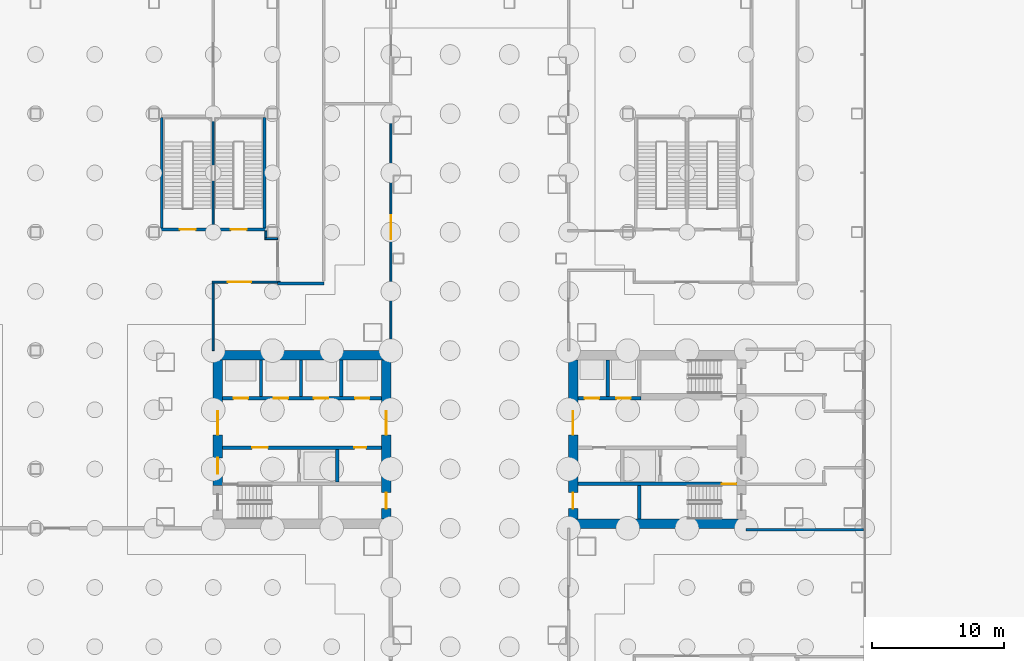
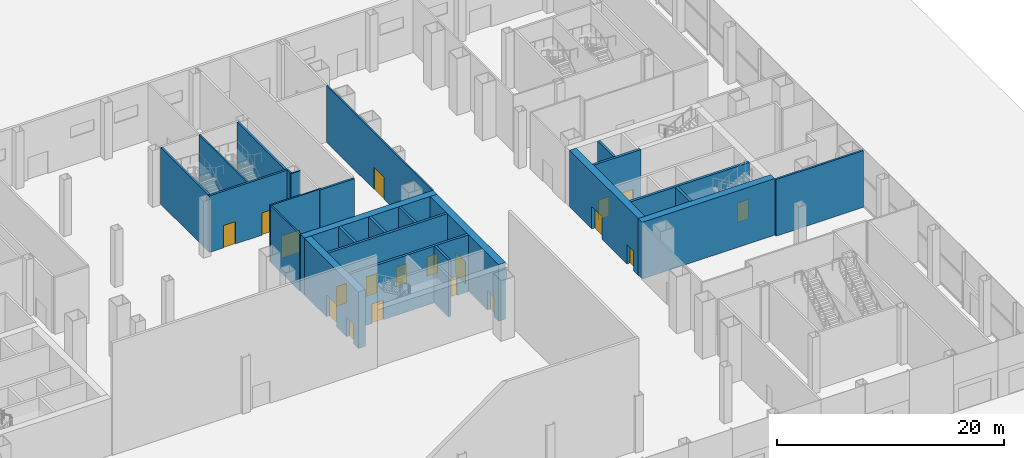
# One storey, part 22 of 37: 26 walls, 19 doors, 19 openings.
"""IFC4 building model written with IfcOpenShell, lengths in metres."""

from ifc_helpers import new_model, si_unit, direction, frame, frame_2d, origin, place, context, subcontext, project, spatial, rectangle, extrude, material, layer, layer_set, type_object, element, fill, save


model = new_model("IFC4")

# Units and contexts
model_context = context("Model", 3, precision=1e-05, world=origin(), true_north=direction((0.0, 1.0)))
body_context = subcontext(model_context, "Body", "Model", "MODEL_VIEW")
ifc_project = project(units=[si_unit("LENGTHUNIT", "METRE"), si_unit("AREAUNIT", "SQUARE_METRE"), si_unit("VOLUMEUNIT", "CUBIC_METRE"), si_unit("PLANEANGLEUNIT", "RADIAN"), si_unit("MASSUNIT", "GRAM", prefix="KILO")], contexts=[model_context])

# Site, building, storey
site_placement = place(None, origin())
site = spatial("IfcSite", under=ifc_project, at=site_placement, CompositionType="ELEMENT")
building_placement = place(site_placement, origin())
building = spatial("IfcBuilding", under=site, at=building_placement, Name="Shamsa Quay Exchange Towers", CompositionType="ELEMENT")
storey_placement = place(building_placement, origin())
storey = spatial("IfcBuildingStorey", under=building, at=storey_placement, Name="L00", CompositionType="ELEMENT", Elevation=0.0)

# Wall
ifc_material_1 = material(Name="Concrete C80/95", Category="concrete")
ifc_layer_1 = layer(ifc_material_1, 0.699951171875)
ifc_layer_set_1 = layer_set([ifc_layer_1], Name="CORE WALL 700 C80/95")
wall_type_1 = type_object("IfcWallType", Name="CORE WALL 700 C80/95", PredefinedType="SHEAR", material=ifc_layer_set_1)
wall_1_placement = place(storey_placement, frame((13.5, 6.39990234375, 0.0)))
element("IfcWall", 1, at=wall_1_placement, inside=storey, type_object=wall_type_1, Name="Core wall T2A-L00-PN", PredefinedType="SHEAR", context=body_context, shape_type="SweptSolid", body=[
    extrude(rectangle(XDim=13.5, YDim=0.699951171875, at=frame_2d((6.75, 0.0))), origin(), (0.0, 0.0, 1.0), 6.10009765625),
])

# Wall, openings, doors
wall_2_placement = place(storey_placement, frame((13.85009765625, 6.050048828125, 0.0), z_axis=(0.0, 0.0, 1.0), x_axis=(0.0, -1.0, 0.0)))
wall_2 = element("IfcWall", 2, at=wall_2_placement, inside=storey, type_object=wall_type_1, Name="Core wall T2A-L00-PF", PredefinedType="SHEAR", context=body_context, shape_type="SweptSolid", body=[
    extrude(rectangle(XDim=9.550048828125, YDim=0.699951171875, at=frame_2d((4.77490234375, 0.0))), origin(), (0.0, 0.0, 1.0), 6.10009765625),
])
opening_1_placement = place(wall_2_placement, frame((7.449951171875, 0.0, 0.0)))
opening_1 = element("IfcOpeningElement", 3, at=opening_1_placement, cuts=wall_2, Name="Opening T2A-L00-FD02", PredefinedType="OPENING", context=body_context, shape_type="SweptSolid", body=[
    extrude(rectangle(XDim=1.199951171875, YDim=2.10009765625, at=frame_2d((0.60009765625, 1.050048828125))), frame((0.0, 0.35986328125, 0.0), z_axis=(0.0, -1.0, 0.0), x_axis=(1.0, 0.0, 0.0)), (0.0, 0.0, 1.0), 0.719970703125),
])
opening_2_placement = place(wall_2_placement, frame((3.89990234375, 0.0, 0.0)))
opening_2 = element("IfcOpeningElement", 4, at=opening_2_placement, cuts=wall_2, Name="Opening T2A-L00-LBD03", PredefinedType="OPENING", context=body_context, shape_type="SweptSolid", body=[
    extrude(rectangle(XDim=1.800048828125, YDim=2.39990234375, at=frame_2d((0.89990234375, 1.199951171875))), frame((0.0, 0.35986328125, 0.0), z_axis=(0.0, -1.0, 0.0), x_axis=(1.0, 0.0, 0.0)), (0.0, 0.0, 1.0), 0.719970703125),
])
ifc_material_2 = material(Name="Steel, fire rated", Category="steel")
door_type_1 = type_object("IfcDoorType", Name="FIRE SERVICE LOBBY DOOR 1200", OperationType="SINGLE_SWING_LEFT", PredefinedType="DOOR", material=ifc_material_2)
door_1_placement = place(opening_1_placement, origin())
door_1 = element("IfcDoor", 5, at=door_1_placement, inside=storey, type_object=door_type_1, Name="T2A-L00-FD02", OperationType="SINGLE_SWING_RIGHT", OverallHeight=2.10009765625, OverallWidth=1.199951171875, PredefinedType="DOOR", context=body_context, shape_type="SweptSolid", body=[
    extrude(rectangle(XDim=1.199951171875, YDim=2.10009765625, at=frame_2d((0.60009765625, 1.050048828125))), frame((0.0, 0.02490234375, 0.0), z_axis=(0.0, -1.0, 0.0), x_axis=(1.0, 0.0, 0.0)), (0.0, 0.0, 1.0), 0.050048828125),
])
fill(opening_1, door_1)
door_type_2 = type_object("IfcDoorType", Name="LIFT LOBBY DOOR PAIR 1800", OperationType="DOUBLE_DOOR_SINGLE_SWING", PredefinedType="DOOR", material=ifc_material_2)
door_2_placement = place(opening_2_placement, origin())
door_2 = element("IfcDoor", 6, at=door_2_placement, inside=storey, type_object=door_type_2, Name="T2A-L00-LBD03", OperationType="DOUBLE_DOOR_SINGLE_SWING", OverallHeight=2.39990234375, OverallWidth=1.800048828125, PredefinedType="DOOR", context=body_context, shape_type="SweptSolid", body=[
    extrude(rectangle(XDim=1.800048828125, YDim=2.39990234375, at=frame_2d((0.89990234375, 1.199951171875))), frame((0.0, 0.02490234375, 0.0), z_axis=(0.0, -1.0, 0.0), x_axis=(1.0, 0.0, 0.0)), (0.0, 0.0, 1.0), 0.050048828125),
])
fill(opening_2, door_2)

wall_3_placement = place(storey_placement, frame((26.64990234375, 6.050048828125, 0.0), z_axis=(0.0, 0.0, 1.0), x_axis=(0.0, -1.0, 0.0)))
wall_3 = element("IfcWall", 7, at=wall_3_placement, inside=storey, type_object=wall_type_1, Name="Core wall T2A-L00-PB", PredefinedType="SHEAR", context=body_context, shape_type="SweptSolid", body=[
    extrude(rectangle(XDim=12.10009765625, YDim=0.699951171875, at=frame_2d((6.050048828125, 0.0))), origin(), (0.0, 0.0, 1.0), 6.10009765625),
])
opening_3_placement = place(wall_3_placement, frame((10.10009765625, 0.0, 0.0)))
opening_3 = element("IfcOpeningElement", 8, at=opening_3_placement, cuts=wall_3, Name="Opening T2A-L00-RD04", PredefinedType="OPENING", context=body_context, shape_type="SweptSolid", body=[
    extrude(rectangle(XDim=1.199951171875, YDim=2.10009765625, at=frame_2d((0.60009765625, 1.050048828125))), frame((0.0, 0.35986328125, 0.0), z_axis=(0.0, -1.0, 0.0), x_axis=(1.0, 0.0, 0.0)), (0.0, 0.0, 1.0), 0.719970703125),
])
opening_4_placement = place(wall_3_placement, frame((3.89990234375, 0.0, 0.0)))
opening_4 = element("IfcOpeningElement", 9, at=opening_4_placement, cuts=wall_3, Name="Opening T2A-L00-LBD05", PredefinedType="OPENING", context=body_context, shape_type="SweptSolid", body=[
    extrude(rectangle(XDim=1.800048828125, YDim=2.39990234375, at=frame_2d((0.89990234375, 1.199951171875))), frame((0.0, 0.35986328125, 0.0), z_axis=(0.0, -1.0, 0.0), x_axis=(1.0, 0.0, 0.0)), (0.0, 0.0, 1.0), 0.719970703125),
])
door_3_placement = place(opening_4_placement, origin())
door_3 = element("IfcDoor", 10, at=door_3_placement, inside=storey, type_object=door_type_2, Name="T2A-L00-LBD05", OperationType="DOUBLE_DOOR_SINGLE_SWING", OverallHeight=2.39990234375, OverallWidth=1.800048828125, PredefinedType="DOOR", context=body_context, shape_type="SweptSolid", body=[
    extrude(rectangle(XDim=1.800048828125, YDim=2.39990234375, at=frame_2d((0.89990234375, 1.199951171875))), frame((0.0, 0.02490234375, 0.0), z_axis=(0.0, -1.0, 0.0), x_axis=(1.0, 0.0, 0.0)), (0.0, 0.0, 1.0), 0.050048828125),
])
fill(opening_4, door_3)
door_type_3 = type_object("IfcDoorType", Name="RISER ACCESS DOOR 1200", OperationType="SINGLE_SWING_LEFT", PredefinedType="DOOR", material=ifc_material_2)
door_4_placement = place(opening_3_placement, origin())
door_4 = element("IfcDoor", 11, at=door_4_placement, inside=storey, type_object=door_type_3, Name="T2A-L00-RD04", OperationType="SINGLE_SWING_RIGHT", OverallHeight=2.10009765625, OverallWidth=1.199951171875, PredefinedType="DOOR", context=body_context, shape_type="SweptSolid", body=[
    extrude(rectangle(XDim=1.199951171875, YDim=2.10009765625, at=frame_2d((0.60009765625, 1.050048828125))), frame((0.0, 0.02490234375, 0.0), z_axis=(0.0, -1.0, 0.0), x_axis=(1.0, 0.0, 0.0)), (0.0, 0.0, 1.0), 0.050048828125),
])
fill(opening_3, door_4)

# Wall
wall_4_placement = place(storey_placement, frame((54.0, -6.39990234375, 0.0), z_axis=(0.0, 0.0, 1.0), x_axis=(-1.0, 0.0, 0.0)))
element("IfcWall", 12, at=wall_4_placement, inside=storey, type_object=wall_type_1, Name="Core wall T2B-L00-PS", PredefinedType="SHEAR", context=body_context, shape_type="SweptSolid", body=[
    extrude(rectangle(XDim=13.5, YDim=0.699951171875, at=frame_2d((6.75, 0.0))), origin(), (0.0, 0.0, 1.0), 6.10009765625),
])

# Wall, openings, doors
wall_5_placement = place(storey_placement, frame((40.85009765625, -6.050048828125, 0.0), z_axis=(0.0, 0.0, 1.0), x_axis=(0.0, 1.0, 0.0)))
wall_5 = element("IfcWall", 13, at=wall_5_placement, inside=storey, type_object=wall_type_1, Name="Core wall T2B-L00-PB", PredefinedType="SHEAR", context=body_context, shape_type="SweptSolid", body=[
    extrude(rectangle(XDim=12.10009765625, YDim=0.699951171875, at=frame_2d((6.050048828125, 0.0))), origin(), (0.0, 0.0, 1.0), 6.10009765625),
])
opening_5_placement = place(wall_5_placement, frame((0.800048828125, 0.0, 0.0)))
opening_5 = element("IfcOpeningElement", 14, at=opening_5_placement, cuts=wall_5, Name="Opening T2B-L00-RD05", PredefinedType="OPENING", context=body_context, shape_type="SweptSolid", body=[
    extrude(rectangle(XDim=1.199951171875, YDim=2.10009765625, at=frame_2d((0.60009765625, 1.050048828125))), frame((0.0, 0.35986328125, 0.0), z_axis=(0.0, -1.0, 0.0), x_axis=(1.0, 0.0, 0.0)), (0.0, 0.0, 1.0), 0.719970703125),
])
opening_6_placement = place(wall_5_placement, frame((6.39990234375, 0.0, 0.0)))
opening_6 = element("IfcOpeningElement", 15, at=opening_6_placement, cuts=wall_5, Name="Opening T2B-L00-LBD06", PredefinedType="OPENING", context=body_context, shape_type="SweptSolid", body=[
    extrude(rectangle(XDim=1.800048828125, YDim=2.39990234375, at=frame_2d((0.89990234375, 1.199951171875))), frame((0.0, 0.35986328125, 0.0), z_axis=(0.0, -1.0, 0.0), x_axis=(1.0, 0.0, 0.0)), (0.0, 0.0, 1.0), 0.719970703125),
])
door_5_placement = place(opening_6_placement, origin())
door_5 = element("IfcDoor", 16, at=door_5_placement, inside=storey, type_object=door_type_2, Name="T2B-L00-LBD06", OperationType="DOUBLE_DOOR_SINGLE_SWING", OverallHeight=2.39990234375, OverallWidth=1.800048828125, PredefinedType="DOOR", context=body_context, shape_type="SweptSolid", body=[
    extrude(rectangle(XDim=1.800048828125, YDim=2.39990234375, at=frame_2d((0.89990234375, 1.199951171875))), frame((0.0, 0.02490234375, 0.0), z_axis=(0.0, -1.0, 0.0), x_axis=(1.0, 0.0, 0.0)), (0.0, 0.0, 1.0), 0.050048828125),
])
fill(opening_6, door_5)
door_6_placement = place(opening_5_placement, origin())
door_6 = element("IfcDoor", 17, at=door_6_placement, inside=storey, type_object=door_type_3, Name="T2B-L00-RD05", OperationType="SINGLE_SWING_LEFT", OverallHeight=2.10009765625, OverallWidth=1.199951171875, PredefinedType="DOOR", context=body_context, shape_type="SweptSolid", body=[
    extrude(rectangle(XDim=1.199951171875, YDim=2.10009765625, at=frame_2d((0.60009765625, 1.050048828125))), frame((0.0, 0.02490234375, 0.0), z_axis=(0.0, -1.0, 0.0), x_axis=(1.0, 0.0, 0.0)), (0.0, 0.0, 1.0), 0.050048828125),
])
fill(opening_5, door_6)

# Wall, opening, door
ifc_material_3 = material(Name="Gypsum board partition on metal studs")
ifc_layer_2 = layer(ifc_material_3, 0.14990234375)
ifc_layer_set_2 = layer_set([ifc_layer_2], Name="Partition 150 mm EI 60")
wall_type_2 = type_object("IfcWallType", Name="Partition 150 mm EI 60", PredefinedType="PARTITIONING", material=ifc_layer_set_2)
wall_6_placement = place(storey_placement, frame((27.0, 25.39990234375, 0.0), z_axis=(0.0, 0.0, 1.0), x_axis=(0.0, -1.0, 0.0)))
wall_6 = element("IfcWall", 18, at=wall_6_placement, inside=storey, type_object=wall_type_2, Name="Partition PD-L00-W49", PredefinedType="PARTITIONING", context=body_context, shape_type="SweptSolid", body=[
    extrude(rectangle(XDim=18.64990234375, YDim=0.14990234375, at=frame_2d((9.324951171875, 0.0))), origin(), (0.0, 0.0, 1.0), 6.10009765625),
])
opening_7_placement = place(wall_6_placement, frame((8.375, 0.0, 0.0)))
opening_7 = element("IfcOpeningElement", 19, at=opening_7_placement, cuts=wall_6, Name="Opening PD-L00-D29", PredefinedType="OPENING", context=body_context, shape_type="SweptSolid", body=[
    extrude(rectangle(XDim=1.800048828125, YDim=2.39990234375, at=frame_2d((0.89990234375, 1.199951171875))), frame((0.0, 0.0849609375, 0.0), z_axis=(0.0, -1.0, 0.0), x_axis=(1.0, 0.0, 0.0)), (0.0, 0.0, 1.0), 0.169921875),
])
ifc_material_4 = material(Name="Timber door leaf in a metal frame", Category="wood")
door_type_4 = type_object("IfcDoorType", Name="Door 1800x2400 FD30S pair", OperationType="NOTDEFINED", PredefinedType="DOOR", material=ifc_material_4)
door_7_placement = place(opening_7_placement, origin())
door_7 = element("IfcDoor", 20, at=door_7_placement, inside=storey, type_object=door_type_4, Name="Door PD-L00-D29", OperationType="DOUBLE_DOOR_SINGLE_SWING", OverallHeight=2.39990234375, OverallWidth=1.800048828125, PredefinedType="DOOR", context=body_context, shape_type="SweptSolid", body=[
    extrude(rectangle(XDim=1.800048828125, YDim=2.39990234375, at=frame_2d((0.89990234375, 1.199951171875))), frame((0.0, 0.02490234375, 0.0), z_axis=(0.0, -1.0, 0.0), x_axis=(1.0, 0.0, 0.0)), (0.0, 0.0, 1.0), 0.050048828125),
])
fill(opening_7, door_7)

wall_7_placement = place(storey_placement, frame((13.425048828125, 11.9501953125, 0.0)))
wall_7 = element("IfcWall", 21, at=wall_7_placement, inside=storey, type_object=wall_type_2, Name="Partition PD-L00-W57", PredefinedType="PARTITIONING", context=body_context, shape_type="SweptSolid", body=[
    extrude(rectangle(XDim=5.175048828125, YDim=0.14990234375, at=frame_2d((2.58740234375, 0.0))), origin(), (0.0, 0.0, 1.0), 6.10009765625),
])
opening_8_placement = place(wall_7_placement, frame((1.175048828125, 0.0, 0.0)))
opening_8 = element("IfcOpeningElement", 22, at=opening_8_placement, cuts=wall_7, Name="Opening PD-L00-D22", PredefinedType="OPENING", context=body_context, shape_type="SweptSolid", body=[
    extrude(rectangle(XDim=1.800048828125, YDim=2.39990234375, at=frame_2d((0.89990234375, 1.199951171875))), frame((0.0, 0.0849609375, 0.0), z_axis=(0.0, -1.0, 0.0), x_axis=(1.0, 0.0, 0.0)), (0.0, 0.0, 1.0), 0.169921875),
])
door_8_placement = place(opening_8_placement, origin())
door_8 = element("IfcDoor", 23, at=door_8_placement, inside=storey, type_object=door_type_4, Name="Door PD-L00-D22", OperationType="DOUBLE_DOOR_SINGLE_SWING", OverallHeight=2.39990234375, OverallWidth=1.800048828125, PredefinedType="DOOR", context=body_context, shape_type="SweptSolid", body=[
    extrude(rectangle(XDim=1.800048828125, YDim=2.39990234375, at=frame_2d((0.89990234375, 1.199951171875))), frame((0.0, 0.02490234375, 0.0), z_axis=(0.0, -1.0, 0.0), x_axis=(1.0, 0.0, 0.0)), (0.0, 0.0, 1.0), 0.050048828125),
])
fill(opening_8, door_8)

# Walls
wall_8_placement = place(storey_placement, frame((13.5, 6.75, 0.0), z_axis=(0.0, 0.0, 1.0), x_axis=(0.0, 1.0, 0.0)))
element("IfcWall", 24, at=wall_8_placement, inside=storey, type_object=wall_type_2, Name="Partition PD-L00-W59", PredefinedType="PARTITIONING", context=body_context, shape_type="SweptSolid", body=[
    extrude(rectangle(XDim=5.125244140625, YDim=0.14990234375, at=frame_2d((2.5625, 0.0))), origin(), (0.0, 0.0, 1.0), 6.10009765625),
])
wall_9_placement = place(storey_placement, frame((17.5, 15.324951171875, 0.0), z_axis=(0.0, 0.0, 1.0), x_axis=(0.0, 1.0, 0.0)))
element("IfcWall", 25, at=wall_9_placement, inside=storey, type_object=wall_type_2, Name="Partition PD-L00-W61", PredefinedType="PARTITIONING", context=body_context, shape_type="SweptSolid", body=[
    extrude(rectangle(XDim=0.524658203125, YDim=0.14990234375, at=frame_2d((0.26220703125, 0.0))), origin(), (0.0, 0.0, 1.0), 6.10009765625),
])
wall_10_placement = place(storey_placement, frame((18.39990234375, 15.25, 0.0), z_axis=(0.0, 0.0, 1.0), x_axis=(-1.0, 0.0, 0.0)))
element("IfcWall", 26, at=wall_10_placement, inside=storey, type_object=wall_type_2, Name="Partition PD-L00-W63", PredefinedType="PARTITIONING", context=body_context, shape_type="SweptSolid", body=[
    extrude(rectangle(XDim=0.974853515625, YDim=0.14990234375, at=frame_2d((0.4873046875, 0.0))), origin(), (0.0, 0.0, 1.0), 6.10009765625),
])
ifc_layer_3 = layer(ifc_material_3, 0.199951171875)
ifc_layer_set_3 = layer_set([ifc_layer_3], Name="Partition 200 mm EI 120")
wall_type_3 = type_object("IfcWallType", Name="Partition 200 mm EI 120", PredefinedType="PARTITIONING", material=ifc_layer_set_3)
wall_11_placement = place(storey_placement, frame((54.0, -6.85009765625, 0.0)))
element("IfcWall", 27, at=wall_11_placement, inside=storey, type_object=wall_type_3, Name="Partition PD-L00-W23", PredefinedType="PARTITIONING", context=body_context, shape_type="SweptSolid", body=[
    extrude(rectangle(XDim=8.905029296875, YDim=0.199951171875, at=frame_2d((4.45263671875, 0.0))), origin(), (0.0, 0.0, 1.0), 6.10009765625),
])
wall_12_placement = place(storey_placement, frame((18.39990234375, 11.85009765625, 0.0)))
element("IfcWall", 28, at=wall_12_placement, inside=storey, type_object=wall_type_3, Name="Partition PD-L00-W28", PredefinedType="PARTITIONING", context=body_context, shape_type="SweptSolid", body=[
    extrude(rectangle(XDim=3.5, YDim=0.199951171875, at=frame_2d((1.75, 0.0))), origin(), (0.0, 0.0, 1.0), 6.10009765625),
])

# Wall, openings, doors
ifc_material_5 = material(Name="Concrete C50/60", Category="concrete")
ifc_layer_4 = layer(ifc_material_5, 0.25)
ifc_layer_set_4 = layer_set([ifc_layer_4], Name="SHAFT WALL 250 C50/60")
wall_type_4 = type_object("IfcWallType", Name="SHAFT WALL 250 C50/60", PredefinedType="SHEAR", material=ifc_layer_set_4)
wall_13_placement = place(storey_placement, frame((26.300048828125, -0.625, 0.0), z_axis=(0.0, 0.0, 1.0), x_axis=(-1.0, 0.0, 0.0)))
wall_13 = element("IfcWall", 29, at=wall_13_placement, inside=storey, type_object=wall_type_4, Name="Shaft wall T2A-L00-B", PredefinedType="SHEAR", context=body_context, shape_type="SweptSolid", body=[
    extrude(rectangle(XDim=12.10009765625, YDim=0.25, at=frame_2d((6.050048828125, 0.0))), origin(), (0.0, 0.0, 1.0), 6.10009765625),
])
opening_9_placement = place(wall_13_placement, frame((8.64990234375, 0.0, 0.0)))
opening_9 = element("IfcOpeningElement", 30, at=opening_9_placement, cuts=wall_13, Name="Opening T2A-L00-FD07", PredefinedType="OPENING", context=body_context, shape_type="SweptSolid", body=[
    extrude(rectangle(XDim=1.199951171875, YDim=2.10009765625, at=frame_2d((0.60009765625, 1.050048828125))), frame((0.0, 0.135009765625, 0.0), z_axis=(0.0, -1.0, 0.0), x_axis=(1.0, 0.0, 0.0)), (0.0, 0.0, 1.0), 0.27001953125),
])
opening_10_placement = place(wall_13_placement, frame((1.175048828125, 0.0, 0.0)))
opening_10 = element("IfcOpeningElement", 31, at=opening_10_placement, cuts=wall_13, Name="Opening T2A-L00-SV08", PredefinedType="OPENING", context=body_context, shape_type="SweptSolid", body=[
    extrude(rectangle(XDim=0.89990234375, YDim=2.10009765625, at=frame_2d((0.449951171875, 1.050048828125))), frame((0.0, 0.135009765625, 0.0), z_axis=(0.0, -1.0, 0.0), x_axis=(1.0, 0.0, 0.0)), (0.0, 0.0, 1.0), 0.27001953125),
])
door_9_placement = place(opening_9_placement, origin())
door_9 = element("IfcDoor", 32, at=door_9_placement, inside=storey, type_object=door_type_1, Name="T2A-L00-FD07", OperationType="SINGLE_SWING_RIGHT", OverallHeight=2.10009765625, OverallWidth=1.199951171875, PredefinedType="DOOR", context=body_context, shape_type="SweptSolid", body=[
    extrude(rectangle(XDim=1.199951171875, YDim=2.10009765625, at=frame_2d((0.60009765625, 1.050048828125))), frame((0.0, 0.02490234375, 0.0), z_axis=(0.0, -1.0, 0.0), x_axis=(1.0, 0.0, 0.0)), (0.0, 0.0, 1.0), 0.050048828125),
])
fill(opening_9, door_9)
door_type_5 = type_object("IfcDoorType", Name="SERVICE ROOM DOOR 900", OperationType="SINGLE_SWING_LEFT", PredefinedType="DOOR", material=ifc_material_2)
door_10_placement = place(opening_10_placement, origin())
door_10 = element("IfcDoor", 33, at=door_10_placement, inside=storey, type_object=door_type_5, Name="T2A-L00-SV08", OperationType="SINGLE_SWING_LEFT", OverallHeight=2.10009765625, OverallWidth=0.89990234375, PredefinedType="DOOR", context=body_context, shape_type="SweptSolid", body=[
    extrude(rectangle(XDim=0.89990234375, YDim=2.10009765625, at=frame_2d((0.449951171875, 1.050048828125))), frame((0.0, 0.02490234375, 0.0), z_axis=(0.0, -1.0, 0.0), x_axis=(1.0, 0.0, 0.0)), (0.0, 0.0, 1.0), 0.050048828125),
])
fill(opening_10, door_10)

# Wall
wall_14_placement = place(storey_placement, frame((22.925048828125, -3.25, 0.0), z_axis=(0.0, 0.0, 1.0), x_axis=(0.0, 1.0, 0.0)))
element("IfcWall", 34, at=wall_14_placement, inside=storey, type_object=wall_type_4, Name="Shaft wall T2A-L00-FFB", PredefinedType="SHEAR", context=body_context, shape_type="SweptSolid", body=[
    extrude(rectangle(XDim=2.5, YDim=0.25, at=frame_2d((1.25, 0.0))), origin(), (0.0, 0.0, 1.0), 6.10009765625),
])

# Wall, openings, doors
wall_15_placement = place(storey_placement, frame((14.199951171875, 3.125, 0.0)))
wall_15 = element("IfcWall", 35, at=wall_15_placement, inside=storey, type_object=wall_type_4, Name="Shaft wall T2A-L00-N", PredefinedType="SHEAR", context=body_context, shape_type="SweptSolid", body=[
    extrude(rectangle(XDim=12.10009765625, YDim=0.25, at=frame_2d((6.050048828125, 0.0))), origin(), (0.0, 0.0, 1.0), 6.10009765625),
])
opening_11_placement = place(wall_15_placement, frame((0.85009765625, 0.0, 0.0)))
opening_11 = element("IfcOpeningElement", 36, at=opening_11_placement, cuts=wall_15, Name="Opening T2A-L00-LD10", PredefinedType="OPENING", context=body_context, shape_type="SweptSolid", body=[
    extrude(rectangle(XDim=1.10009765625, YDim=2.10009765625, at=frame_2d((0.550048828125, 1.050048828125))), frame((0.0, 0.135009765625, 0.0), z_axis=(0.0, -1.0, 0.0), x_axis=(1.0, 0.0, 0.0)), (0.0, 0.0, 1.0), 0.27001953125),
])
opening_12_placement = place(wall_15_placement, frame((3.89990234375, 0.0, 0.0)))
opening_12 = element("IfcOpeningElement", 37, at=opening_12_placement, cuts=wall_15, Name="Opening T2A-L00-LD11", PredefinedType="OPENING", context=body_context, shape_type="SweptSolid", body=[
    extrude(rectangle(XDim=1.10009765625, YDim=2.10009765625, at=frame_2d((0.550048828125, 1.050048828125))), frame((0.0, 0.135009765625, 0.0), z_axis=(0.0, -1.0, 0.0), x_axis=(1.0, 0.0, 0.0)), (0.0, 0.0, 1.0), 0.27001953125),
])
opening_13_placement = place(wall_15_placement, frame((6.949951171875, 0.0, 0.0)))
opening_13 = element("IfcOpeningElement", 38, at=opening_13_placement, cuts=wall_15, Name="Opening T2A-L00-LD12", PredefinedType="OPENING", context=body_context, shape_type="SweptSolid", body=[
    extrude(rectangle(XDim=1.10009765625, YDim=2.10009765625, at=frame_2d((0.550048828125, 1.050048828125))), frame((0.0, 0.135009765625, 0.0), z_axis=(0.0, -1.0, 0.0), x_axis=(1.0, 0.0, 0.0)), (0.0, 0.0, 1.0), 0.27001953125),
])
opening_14_placement = place(wall_15_placement, frame((10.074951171875, 0.0, 0.0)))
opening_14 = element("IfcOpeningElement", 39, at=opening_14_placement, cuts=wall_15, Name="Opening T2A-L00-LD13", PredefinedType="OPENING", context=body_context, shape_type="SweptSolid", body=[
    extrude(rectangle(XDim=1.10009765625, YDim=2.10009765625, at=frame_2d((0.550048828125, 1.050048828125))), frame((0.0, 0.135009765625, 0.0), z_axis=(0.0, -1.0, 0.0), x_axis=(1.0, 0.0, 0.0)), (0.0, 0.0, 1.0), 0.27001953125),
])
door_type_6 = type_object("IfcDoorType", Name="LANDING DOOR 1100", OperationType="SLIDING_TO_LEFT", PredefinedType="DOOR", material=ifc_material_2)
door_11_placement = place(opening_11_placement, origin())
door_11 = element("IfcDoor", 40, at=door_11_placement, inside=storey, type_object=door_type_6, Name="T2A-L00-LD10", OperationType="SLIDING_TO_LEFT", OverallHeight=2.10009765625, OverallWidth=1.10009765625, PredefinedType="DOOR", context=body_context, shape_type="SweptSolid", body=[
    extrude(rectangle(XDim=1.10009765625, YDim=2.10009765625, at=frame_2d((0.550048828125, 1.050048828125))), frame((0.0, 0.02490234375, 0.0), z_axis=(0.0, -1.0, 0.0), x_axis=(1.0, 0.0, 0.0)), (0.0, 0.0, 1.0), 0.050048828125),
])
fill(opening_11, door_11)
door_12_placement = place(opening_12_placement, origin())
door_12 = element("IfcDoor", 41, at=door_12_placement, inside=storey, type_object=door_type_6, Name="T2A-L00-LD11", OperationType="SLIDING_TO_LEFT", OverallHeight=2.10009765625, OverallWidth=1.10009765625, PredefinedType="DOOR", context=body_context, shape_type="SweptSolid", body=[
    extrude(rectangle(XDim=1.10009765625, YDim=2.10009765625, at=frame_2d((0.550048828125, 1.050048828125))), frame((0.0, 0.02490234375, 0.0), z_axis=(0.0, -1.0, 0.0), x_axis=(1.0, 0.0, 0.0)), (0.0, 0.0, 1.0), 0.050048828125),
])
fill(opening_12, door_12)
door_13_placement = place(opening_13_placement, origin())
door_13 = element("IfcDoor", 42, at=door_13_placement, inside=storey, type_object=door_type_6, Name="T2A-L00-LD12", OperationType="SLIDING_TO_LEFT", OverallHeight=2.10009765625, OverallWidth=1.10009765625, PredefinedType="DOOR", context=body_context, shape_type="SweptSolid", body=[
    extrude(rectangle(XDim=1.10009765625, YDim=2.10009765625, at=frame_2d((0.550048828125, 1.050048828125))), frame((0.0, 0.02490234375, 0.0), z_axis=(0.0, -1.0, 0.0), x_axis=(1.0, 0.0, 0.0)), (0.0, 0.0, 1.0), 0.050048828125),
])
fill(opening_13, door_13)
door_14_placement = place(opening_14_placement, origin())
door_14 = element("IfcDoor", 43, at=door_14_placement, inside=storey, type_object=door_type_6, Name="T2A-L00-LD13", OperationType="SLIDING_TO_LEFT", OverallHeight=2.10009765625, OverallWidth=1.10009765625, PredefinedType="DOOR", context=body_context, shape_type="SweptSolid", body=[
    extrude(rectangle(XDim=1.10009765625, YDim=2.10009765625, at=frame_2d((0.550048828125, 1.050048828125))), frame((0.0, 0.02490234375, 0.0), z_axis=(0.0, -1.0, 0.0), x_axis=(1.0, 0.0, 0.0)), (0.0, 0.0, 1.0), 0.050048828125),
])
fill(opening_14, door_14)

# Walls
for number, where, z_axis, x_axis, name in (
    (44, (17.125, 3.25, 0.0), (0.0, 0.0, 1.0), (0.0, 1.0, 0.0), "Shaft wall T2A-L00-D0"),
    (45, (20.175048828125, 3.25, 0.0), (0.0, 0.0, 1.0), (0.0, 1.0, 0.0), "Shaft wall T2A-L00-D1"),
    (46, (23.22509765625, 3.25, 0.0), (0.0, 0.0, 1.0), (0.0, 1.0, 0.0), "Shaft wall T2A-L00-D2"),
):
    element("IfcWall", number, at=place(storey_placement, frame(where, z_axis=z_axis, x_axis=x_axis)), inside=storey, type_object=wall_type_4, Name=name, PredefinedType="SHEAR", context=body_context, shape_type="SweptSolid", body=[
        extrude(rectangle(XDim=2.800048828125, YDim=0.25, at=frame_2d((1.39990234375, 0.0))), origin(), (0.0, 0.0, 1.0), 6.10009765625),
    ])

# Wall, opening, door
wall_16_placement = place(storey_placement, frame((53.300048828125, -3.375, 0.0), z_axis=(0.0, 0.0, 1.0), x_axis=(-1.0, 0.0, 0.0)))
wall_16 = element("IfcWall", 47, at=wall_16_placement, inside=storey, type_object=wall_type_4, Name="Shaft wall T2B-L00-STL", PredefinedType="SHEAR", context=body_context, shape_type="SweptSolid", body=[
    extrude(rectangle(XDim=12.10009765625, YDim=0.25, at=frame_2d((6.050048828125, 0.0))), origin(), (0.0, 0.0, 1.0), 6.10009765625),
])
opening_15_placement = place(wall_16_placement, frame((0.050048828125, 0.0, 0.0)))
opening_15 = element("IfcOpeningElement", 48, at=opening_15_placement, cuts=wall_16, Name="Opening T2B-L00-SD07", PredefinedType="OPENING", context=body_context, shape_type="SweptSolid", body=[
    extrude(rectangle(XDim=1.10009765625, YDim=2.10009765625, at=frame_2d((0.550048828125, 1.050048828125))), frame((0.0, 0.135009765625, 0.0), z_axis=(0.0, -1.0, 0.0), x_axis=(1.0, 0.0, 0.0)), (0.0, 0.0, 1.0), 0.27001953125),
])
door_type_7 = type_object("IfcDoorType", Name="STAIR DOOR 1100", OperationType="SINGLE_SWING_LEFT", PredefinedType="DOOR", material=ifc_material_2)
door_15_placement = place(opening_15_placement, origin())
door_15 = element("IfcDoor", 49, at=door_15_placement, inside=storey, type_object=door_type_7, Name="T2B-L00-SD07", OperationType="SINGLE_SWING_LEFT", OverallHeight=2.10009765625, OverallWidth=1.10009765625, PredefinedType="DOOR", context=body_context, shape_type="SweptSolid", body=[
    extrude(rectangle(XDim=1.10009765625, YDim=2.10009765625, at=frame_2d((0.550048828125, 1.050048828125))), frame((0.0, 0.02490234375, 0.0), z_axis=(0.0, -1.0, 0.0), x_axis=(1.0, 0.0, 0.0)), (0.0, 0.0, 1.0), 0.050048828125),
])
fill(opening_15, door_15)

# Wall
wall_17_placement = place(storey_placement, frame((45.875, -6.050048828125, 0.0), z_axis=(0.0, 0.0, 1.0), x_axis=(0.0, 1.0, 0.0)))
element("IfcWall", 50, at=wall_17_placement, inside=storey, type_object=wall_type_4, Name="Shaft wall T2B-L00-STF", PredefinedType="SHEAR", context=body_context, shape_type="SweptSolid", body=[
    extrude(rectangle(XDim=2.550048828125, YDim=0.25, at=frame_2d((1.27490234375, 0.0))), origin(), (0.0, 0.0, 1.0), 6.10009765625),
])

# Wall, openings, doors
wall_18_placement = place(storey_placement, frame((46.0, 3.125, 0.0), z_axis=(0.0, 0.0, 1.0), x_axis=(-1.0, 0.0, 0.0)))
wall_18 = element("IfcWall", 51, at=wall_18_placement, inside=storey, type_object=wall_type_4, Name="Shaft wall T2B-L00-N2", PredefinedType="SHEAR", context=body_context, shape_type="SweptSolid", body=[
    extrude(rectangle(XDim=4.800048828125, YDim=0.25, at=frame_2d((2.39990234375, 0.0))), origin(), (0.0, 0.0, 1.0), 6.10009765625),
])
opening_16_placement = place(wall_18_placement, frame((0.77490234375, 0.0, 0.0)))
opening_16 = element("IfcOpeningElement", 52, at=opening_16_placement, cuts=wall_18, Name="Opening T2B-L00-LD12", PredefinedType="OPENING", context=body_context, shape_type="SweptSolid", body=[
    extrude(rectangle(XDim=1.10009765625, YDim=2.10009765625, at=frame_2d((0.550048828125, 1.050048828125))), frame((0.0, 0.135009765625, 0.0), z_axis=(0.0, -1.0, 0.0), x_axis=(1.0, 0.0, 0.0)), (0.0, 0.0, 1.0), 0.27001953125),
])
opening_17_placement = place(wall_18_placement, frame((3.175048828125, 0.0, 0.0)))
opening_17 = element("IfcOpeningElement", 53, at=opening_17_placement, cuts=wall_18, Name="Opening T2B-L00-LD13", PredefinedType="OPENING", context=body_context, shape_type="SweptSolid", body=[
    extrude(rectangle(XDim=1.10009765625, YDim=2.10009765625, at=frame_2d((0.550048828125, 1.050048828125))), frame((0.0, 0.135009765625, 0.0), z_axis=(0.0, -1.0, 0.0), x_axis=(1.0, 0.0, 0.0)), (0.0, 0.0, 1.0), 0.27001953125),
])
door_16_placement = place(opening_16_placement, origin())
door_16 = element("IfcDoor", 54, at=door_16_placement, inside=storey, type_object=door_type_6, Name="T2B-L00-LD12", OperationType="SLIDING_TO_LEFT", OverallHeight=2.10009765625, OverallWidth=1.10009765625, PredefinedType="DOOR", context=body_context, shape_type="SweptSolid", body=[
    extrude(rectangle(XDim=1.10009765625, YDim=2.10009765625, at=frame_2d((0.550048828125, 1.050048828125))), frame((0.0, 0.02490234375, 0.0), z_axis=(0.0, -1.0, 0.0), x_axis=(1.0, 0.0, 0.0)), (0.0, 0.0, 1.0), 0.050048828125),
])
fill(opening_16, door_16)
door_17_placement = place(opening_17_placement, origin())
door_17 = element("IfcDoor", 55, at=door_17_placement, inside=storey, type_object=door_type_6, Name="T2B-L00-LD13", OperationType="SLIDING_TO_LEFT", OverallHeight=2.10009765625, OverallWidth=1.10009765625, PredefinedType="DOOR", context=body_context, shape_type="SweptSolid", body=[
    extrude(rectangle(XDim=1.10009765625, YDim=2.10009765625, at=frame_2d((0.550048828125, 1.050048828125))), frame((0.0, 0.02490234375, 0.0), z_axis=(0.0, -1.0, 0.0), x_axis=(1.0, 0.0, 0.0)), (0.0, 0.0, 1.0), 0.050048828125),
])
fill(opening_17, door_17)

# Wall
wall_19_placement = place(storey_placement, frame((43.47509765625, 3.25, 0.0), z_axis=(0.0, 0.0, 1.0), x_axis=(0.0, 1.0, 0.0)))
element("IfcWall", 56, at=wall_19_placement, inside=storey, type_object=wall_type_4, Name="Shaft wall T2B-L00-D0", PredefinedType="SHEAR", context=body_context, shape_type="SweptSolid", body=[
    extrude(rectangle(XDim=2.800048828125, YDim=0.25, at=frame_2d((1.39990234375, 0.0))), origin(), (0.0, 0.0, 1.0), 6.10009765625),
])

# Wall, openings, doors
ifc_layer_5 = layer(ifc_material_5, 0.199951171875)
ifc_layer_set_5 = layer_set([ifc_layer_5], Name="STAIR ENCLOSURE WALL 200 C50/60")
wall_type_5 = type_object("IfcWallType", Name="STAIR ENCLOSURE WALL 200 C50/60", PredefinedType="SHEAR", material=ifc_layer_set_5)
wall_20_placement = place(storey_placement, frame((9.5, 15.949951171875, 0.0)))
wall_20 = element("IfcWall", 57, at=wall_20_placement, inside=storey, type_object=wall_type_5, Name="Stair enclosure wall PS3 inward", PredefinedType="SHEAR", context=body_context, shape_type="SweptSolid", body=[
    extrude(rectangle(XDim=8.0, YDim=0.199951171875, at=frame_2d((4.0, 0.0))), origin(), (0.0, 0.0, 1.0), 6.10009765625),
])
opening_18_placement = place(wall_20_placement, frame((1.46240234375, 0.0, 0.0)))
opening_18 = element("IfcOpeningElement", 58, at=opening_18_placement, cuts=wall_20, Name="Opening PS3A-L00-SD01", PredefinedType="OPENING", context=body_context, shape_type="SweptSolid", body=[
    extrude(rectangle(XDim=1.199951171875, YDim=2.39990234375, at=frame_2d((0.60009765625, 1.199951171875))), frame((0.0, 0.10986328125, 0.0), z_axis=(0.0, -1.0, 0.0), x_axis=(1.0, 0.0, 0.0)), (0.0, 0.0, 1.0), 0.219970703125),
])
opening_19_placement = place(wall_20_placement, frame((5.33740234375, 0.0, 0.0)))
opening_19 = element("IfcOpeningElement", 59, at=opening_19_placement, cuts=wall_20, Name="Opening PS3B-L00-SD01", PredefinedType="OPENING", context=body_context, shape_type="SweptSolid", body=[
    extrude(rectangle(XDim=1.199951171875, YDim=2.39990234375, at=frame_2d((0.60009765625, 1.199951171875))), frame((0.0, 0.10986328125, 0.0), z_axis=(0.0, -1.0, 0.0), x_axis=(1.0, 0.0, 0.0)), (0.0, 0.0, 1.0), 0.219970703125),
])
door_type_8 = type_object("IfcDoorType", Name="PODIUM STAIR DOOR 1200", OperationType="SINGLE_SWING_LEFT", PredefinedType="DOOR", material=ifc_material_2)
door_18_placement = place(opening_18_placement, origin())
door_18 = element("IfcDoor", 60, at=door_18_placement, inside=storey, type_object=door_type_8, Name="PS3A-L00-SD01", OperationType="SINGLE_SWING_LEFT", OverallHeight=2.39990234375, OverallWidth=1.199951171875, PredefinedType="DOOR", context=body_context, shape_type="SweptSolid", body=[
    extrude(rectangle(XDim=1.199951171875, YDim=2.39990234375, at=frame_2d((0.60009765625, 1.199951171875))), frame((0.0, 0.02490234375, 0.0), z_axis=(0.0, -1.0, 0.0), x_axis=(1.0, 0.0, 0.0)), (0.0, 0.0, 1.0), 0.050048828125),
])
fill(opening_18, door_18)
door_19_placement = place(opening_19_placement, origin())
door_19 = element("IfcDoor", 61, at=door_19_placement, inside=storey, type_object=door_type_8, Name="PS3B-L00-SD01", OperationType="SINGLE_SWING_RIGHT", OverallHeight=2.39990234375, OverallWidth=1.199951171875, PredefinedType="DOOR", context=body_context, shape_type="SweptSolid", body=[
    extrude(rectangle(XDim=1.199951171875, YDim=2.39990234375, at=frame_2d((0.60009765625, 1.199951171875))), frame((0.0, 0.02490234375, 0.0), z_axis=(0.0, -1.0, 0.0), x_axis=(1.0, 0.0, 0.0)), (0.0, 0.0, 1.0), 0.050048828125),
])
fill(opening_19, door_19)

# Walls
for number, where, z_axis, x_axis, name in (
    (62, (9.60009765625, 16.050048828125, 0.0), (0.0, 0.0, 1.0), (0.0, 1.0, 0.0), "Stair enclosure wall PS3 west"),
    (63, (17.39990234375, 16.050048828125, 0.0), (0.0, 0.0, 1.0), (0.0, 1.0, 0.0), "Stair enclosure wall PS3 east"),
):
    element("IfcWall", number, at=place(storey_placement, frame(where, z_axis=z_axis, x_axis=x_axis)), inside=storey, type_object=wall_type_5, Name=name, PredefinedType="SHEAR", context=body_context, shape_type="SweptSolid", body=[
        extrude(rectangle(XDim=8.39990234375, YDim=0.199951171875, at=frame_2d((4.199951171875, 0.0))), origin(), (0.0, 0.0, 1.0), 6.10009765625),
    ])
ifc_layer_6 = layer(ifc_material_5, 0.14990234375)
ifc_layer_set_6 = layer_set([ifc_layer_6], Name="STAIR PARTITION WALL 150 C50/60")
wall_type_6 = type_object("IfcWallType", Name="STAIR PARTITION WALL 150 C50/60", PredefinedType="SHEAR", material=ifc_layer_set_6)
wall_21_placement = place(storey_placement, frame((13.5, 16.050048828125, 0.0), z_axis=(0.0, 0.0, 1.0), x_axis=(0.0, 1.0, 0.0)))
element("IfcWall", 64, at=wall_21_placement, inside=storey, type_object=wall_type_6, Name="Stair enclosure wall PS3 between the stairs", PredefinedType="SHEAR", context=body_context, shape_type="SweptSolid", body=[
    extrude(rectangle(XDim=8.39990234375, YDim=0.14990234375, at=frame_2d((4.199951171875, 0.0))), origin(), (0.0, 0.0, 1.0), 6.10009765625),
])

save(model, "model.ifc")
